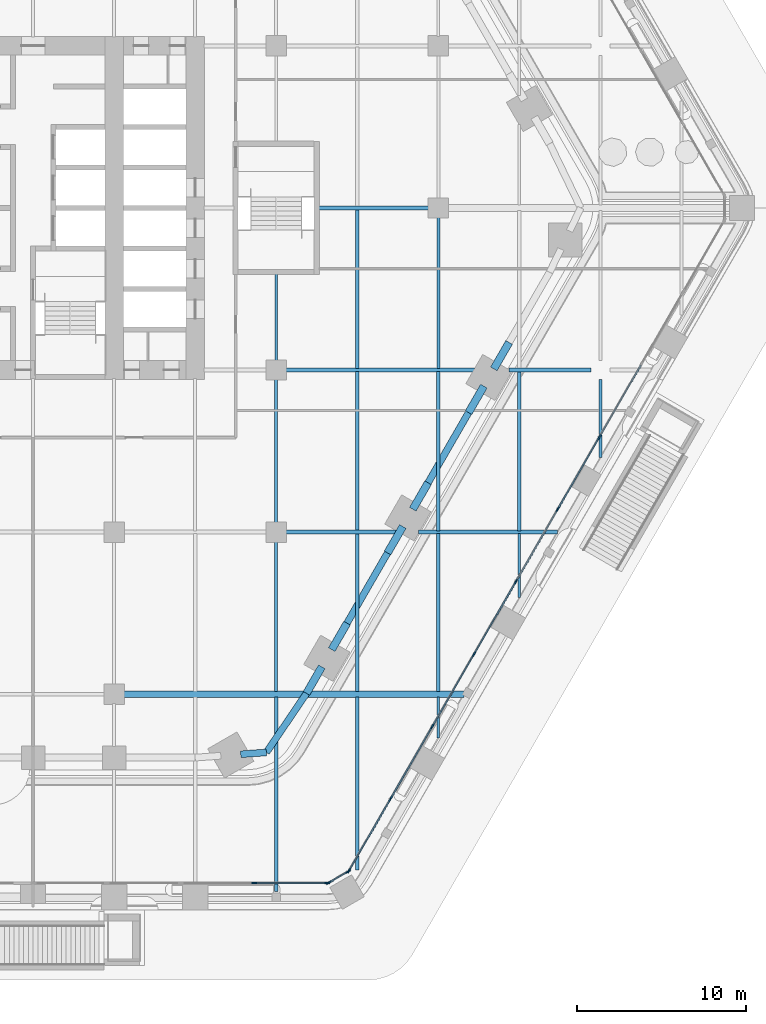
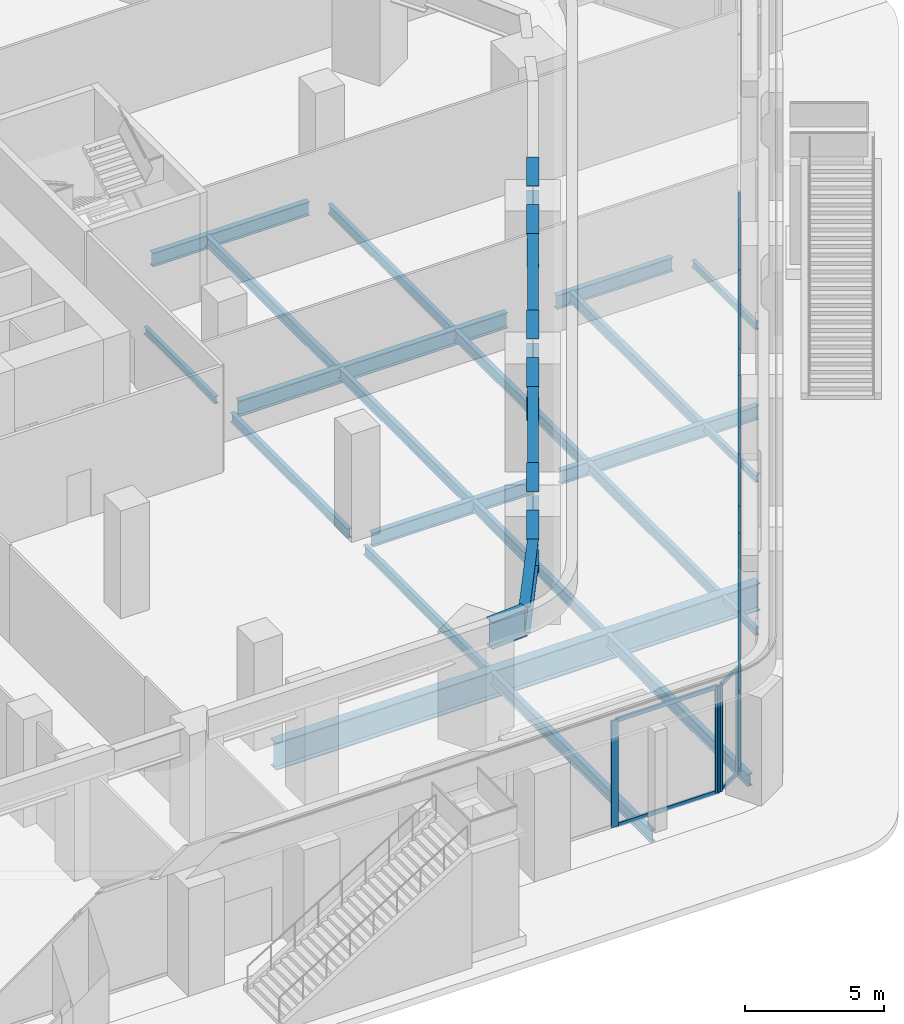
# One storey, part 6 of 34: 31 beams, 28 members, 3 elements without a shape of their own.
"""IFC4 building model written with IfcOpenShell, lengths in metres."""

from ifc_helpers import new_model, si_unit, direction, frame, origin, origin_2d, place, context, subcontext, project, spatial, rectangle, i_section, extrude, material, material_profile, profile_set, type_object, element, aggregate, save


model = new_model("IFC4")

# Units and contexts
model_context = context("Model", 3, precision=1e-05, world=origin(), true_north=direction((0.0, 1.0)))
body_context = subcontext(model_context, "Body", "Model", "MODEL_VIEW")
ifc_project = project(units=[si_unit("LENGTHUNIT", "METRE"), si_unit("AREAUNIT", "SQUARE_METRE"), si_unit("VOLUMEUNIT", "CUBIC_METRE"), si_unit("PLANEANGLEUNIT", "RADIAN"), si_unit("MASSUNIT", "GRAM", prefix="KILO")], contexts=[model_context])

# Site, building, storey
site_placement = place(None, origin())
site = spatial("IfcSite", under=ifc_project, at=site_placement, CompositionType="ELEMENT")
building_placement = place(site_placement, origin())
building = spatial("IfcBuilding", under=site, at=building_placement, Name="Kolab Exchange Tower", CompositionType="ELEMENT")
storey_placement = place(building_placement, frame((0.0, 0.0, 12.39990234375)))
storey = spatial("IfcBuildingStorey", under=building, at=storey_placement, Name="L02", CompositionType="ELEMENT", Elevation=12.39990234375)

# Beams
ifc_material_1 = material(Name="Steel S355", Category="steel")
ifc_material_profile_1 = material_profile(ifc_material_1, i_section(OverallWidth=0.1650390625, OverallDepth=0.31005859375, WebThickness=0.005859375, FlangeThickness=0.009765625, at=origin_2d()), Name="W310X39")
ifc_profile_set_1 = profile_set([ifc_material_profile_1], Name="Steel S355")
beam_type_1 = type_object("IfcBeamType", Name="FLOOR BEAM W310X39", PredefinedType="BEAM", material=ifc_profile_set_1)
beam_1_placement = place(storey_placement, frame((19.199951171875, -9.0400390625, -0.454833984375), z_axis=(0.0, 1.0, 0.0), x_axis=(-1.0, 0.0, 0.0)))
element("IfcBeam", 1, at=beam_1_placement, inside=storey, type_object=beam_type_1, Name="beam/L02/fr/090", PredefinedType="BEAM", context=body_context, shape_type="SweptSolid", body=[
    extrude(i_section(OverallWidth=0.1650390625, OverallDepth=0.31005859375, WebThickness=0.005859375, FlangeThickness=0.009765625, at=origin_2d()), origin(), (0.0, 0.0, 1.0), 5.130126953125),
])
beam_2_placement = place(storey_placement, frame((28.800048828125, -31.3955078125, -0.454833984375), z_axis=(0.0, 1.0, 0.0), x_axis=(-1.0, 0.0, 0.0)))
element("IfcBeam", 2, at=beam_2_placement, inside=storey, type_object=beam_type_1, Name="beam/L02/fr/104", PredefinedType="BEAM", context=body_context, shape_type="SweptSolid", body=[
    extrude(i_section(OverallWidth=0.1650390625, OverallDepth=0.31005859375, WebThickness=0.005859375, FlangeThickness=0.009765625, at=origin_2d()), origin(), (0.0, 0.0, 1.0), 2.435546875),
])
beam_3_placement = place(storey_placement, frame((33.60009765625, -23.08154296875, -0.454833984375), z_axis=(0.0, 1.0, 0.0), x_axis=(-1.0, 0.0, 0.0)))
element("IfcBeam", 3, at=beam_3_placement, inside=storey, type_object=beam_type_1, Name="beam/L02/fr/113", PredefinedType="BEAM", context=body_context, shape_type="SweptSolid", body=[
    extrude(i_section(OverallWidth=0.1650390625, OverallDepth=0.31005859375, WebThickness=0.005859375, FlangeThickness=0.009765625, at=origin_2d()), origin(), (0.0, 0.0, 1.0), 3.8076171875),
])
beam_4_placement = place(storey_placement, frame((38.39990234375, -14.767578125, -0.454833984375), z_axis=(0.0, 1.0, 0.0), x_axis=(-1.0, 0.0, 0.0)))
element("IfcBeam", 4, at=beam_4_placement, inside=storey, type_object=beam_type_1, Name="beam/L02/fr/120", PredefinedType="BEAM", context=body_context, shape_type="SweptSolid", body=[
    extrude(i_section(OverallWidth=0.1650390625, OverallDepth=0.31005859375, WebThickness=0.005859375, FlangeThickness=0.009765625, at=origin_2d()), origin(), (0.0, 0.0, 1.0), 4.607666015625),
])
ifc_material_profile_2 = material_profile(ifc_material_1, i_section(OverallWidth=0.177978515625, OverallDepth=0.406982421875, WebThickness=0.0078125, FlangeThickness=0.0126953125, at=origin_2d()), Name="W410X60")
ifc_profile_set_2 = profile_set([ifc_material_profile_2], Name="Steel S355")
beam_type_2 = type_object("IfcBeamType", Name="FLOOR BEAM W410X60", PredefinedType="BEAM", material=ifc_profile_set_2)
beam_5_placement = place(storey_placement, frame((19.199951171875, -28.639892578125, -0.50341796875), z_axis=(0.0, 1.0, 0.0), x_axis=(-1.0, 0.0, 0.0)))
element("IfcBeam", 5, at=beam_5_placement, inside=storey, type_object=beam_type_2, Name="beam/L02/fr/088", PredefinedType="BEAM", context=body_context, shape_type="SweptSolid", body=[
    extrude(i_section(OverallWidth=0.177978515625, OverallDepth=0.406982421875, WebThickness=0.0078125, FlangeThickness=0.0126953125, at=origin_2d()), origin(), (0.0, 0.0, 1.0), 8.8798828125),
])
beam_6_placement = place(storey_placement, frame((19.199951171875, -18.639892578125, -0.50341796875), z_axis=(0.0, 1.0, 0.0), x_axis=(-1.0, 0.0, 0.0)))
element("IfcBeam", 6, at=beam_6_placement, inside=storey, type_object=beam_type_2, Name="beam/L02/fr/089", PredefinedType="BEAM", context=body_context, shape_type="SweptSolid", body=[
    extrude(i_section(OverallWidth=0.177978515625, OverallDepth=0.406982421875, WebThickness=0.0078125, FlangeThickness=0.0126953125, at=origin_2d()), origin(), (0.0, 0.0, 1.0), 8.47998046875),
])
beam_7_placement = place(storey_placement, frame((28.800048828125, -9.512939453125, -0.50341796875), z_axis=(0.0, 1.0, 0.0), x_axis=(-1.0, 0.0, 0.0)))
element("IfcBeam", 7, at=beam_7_placement, inside=storey, type_object=beam_type_2, Name="beam/L02/fr/107", PredefinedType="BEAM", context=body_context, shape_type="SweptSolid", body=[
    extrude(i_section(OverallWidth=0.177978515625, OverallDepth=0.406982421875, WebThickness=0.0078125, FlangeThickness=0.0126953125, at=origin_2d()), origin(), (0.0, 0.0, 1.0), 8.952880859375),
])
ifc_material_profile_3 = material_profile(ifc_material_1, i_section(OverallWidth=0.18994140625, OverallDepth=0.45703125, WebThickness=0.009033203125, FlangeThickness=0.014404296875, at=origin_2d()), Name="W460X74")
ifc_profile_set_3 = profile_set([ifc_material_profile_3], Name="Steel S355")
beam_type_3 = type_object("IfcBeamType", Name="FLOOR BEAM W460X74", PredefinedType="BEAM", material=ifc_profile_set_3)
beam_8_placement = place(storey_placement, frame((24.0, -28.639892578125, -0.5283203125), z_axis=(0.0, 1.0, 0.0), x_axis=(-1.0, 0.0, 0.0)))
element("IfcBeam", 8, at=beam_8_placement, inside=storey, type_object=beam_type_3, Name="beam/L02/fr/096", PredefinedType="BEAM", context=body_context, shape_type="SweptSolid", body=[
    extrude(i_section(OverallWidth=0.18994140625, OverallDepth=0.45703125, WebThickness=0.009033203125, FlangeThickness=0.014404296875, at=origin_2d()), origin(), (0.0, 0.0, 1.0), 9.365966796875),
])
for number, where, z_axis, x_axis, name in (
    (9, (24.0, -19.1259765625, -0.5283203125), (0.0, 1.0, 0.0), (-1.0, 0.0, 0.0), "beam/L02/fr/097"),
    (10, (24.0, -9.512939453125, -0.5283203125), (0.0, 1.0, 0.0), (-1.0, 0.0, 0.0), "beam/L02/fr/098"),
):
    element("IfcBeam", number, at=place(storey_placement, frame(where, z_axis=z_axis, x_axis=x_axis)), inside=storey, type_object=beam_type_3, Name=name, PredefinedType="BEAM", context=body_context, shape_type="SweptSolid", body=[
        extrude(i_section(OverallWidth=0.18994140625, OverallDepth=0.45703125, WebThickness=0.009033203125, FlangeThickness=0.014404296875, at=origin_2d()), origin(), (0.0, 0.0, 1.0), 9.43896484375),
    ])
beam_9_placement = place(storey_placement, frame((28.800048828125, -28.639892578125, -0.5283203125), z_axis=(0.0, 1.0, 0.0), x_axis=(-1.0, 0.0, 0.0)))
element("IfcBeam", 11, at=beam_9_placement, inside=storey, type_object=beam_type_3, Name="beam/L02/fr/105", PredefinedType="BEAM", context=body_context, shape_type="SweptSolid", body=[
    extrude(i_section(OverallWidth=0.18994140625, OverallDepth=0.45703125, WebThickness=0.009033203125, FlangeThickness=0.014404296875, at=origin_2d()), origin(), (0.0, 0.0, 1.0), 9.365966796875),
])
beam_10_placement = place(storey_placement, frame((28.800048828125, -19.1259765625, -0.5283203125), z_axis=(0.0, 1.0, 0.0), x_axis=(-1.0, 0.0, 0.0)))
element("IfcBeam", 12, at=beam_10_placement, inside=storey, type_object=beam_type_3, Name="beam/L02/fr/106", PredefinedType="BEAM", context=body_context, shape_type="SweptSolid", body=[
    extrude(i_section(OverallWidth=0.18994140625, OverallDepth=0.45703125, WebThickness=0.009033203125, FlangeThickness=0.014404296875, at=origin_2d()), origin(), (0.0, 0.0, 1.0), 9.43896484375),
])
beam_11_placement = place(storey_placement, frame((33.60009765625, -19.1259765625, -0.5283203125), z_axis=(0.0, 1.0, 0.0), x_axis=(-1.0, 0.0, 0.0)))
element("IfcBeam", 13, at=beam_11_placement, inside=storey, type_object=beam_type_3, Name="beam/L02/fr/114", PredefinedType="BEAM", context=body_context, shape_type="SweptSolid", body=[
    extrude(i_section(OverallWidth=0.18994140625, OverallDepth=0.45703125, WebThickness=0.009033203125, FlangeThickness=0.014404296875, at=origin_2d()), origin(), (0.0, 0.0, 1.0), 9.451904296875),
])
ifc_material_profile_4 = material_profile(ifc_material_1, i_section(OverallWidth=0.208984375, OverallDepth=0.532958984375, WebThickness=0.01025390625, FlangeThickness=0.015625, at=origin_2d()), Name="W530X92")
ifc_profile_set_4 = profile_set([ifc_material_profile_4], Name="Steel S355")
beam_type_4 = type_object("IfcBeamType", Name="FLOOR BEAM W530X92", PredefinedType="BEAM", material=ifc_profile_set_4)
beam_12_placement = place(storey_placement, frame((19.199951171875, -40.498291015625, -0.56640625), z_axis=(0.0, 1.0, 0.0), x_axis=(-1.0, 0.0, 0.0)))
element("IfcBeam", 14, at=beam_12_placement, inside=storey, type_object=beam_type_4, Name="beam/L02/fr/087", PredefinedType="BEAM", context=body_context, shape_type="SweptSolid", body=[
    extrude(i_section(OverallWidth=0.208984375, OverallDepth=0.532958984375, WebThickness=0.01025390625, FlangeThickness=0.015625, at=origin_2d()), origin(), (0.0, 0.0, 1.0), 11.538330078125),
])
beam_13_placement = place(storey_placement, frame((24.0, -39.205078125, -0.56640625), z_axis=(0.0, 1.0, 0.0), x_axis=(-1.0, 0.0, 0.0)))
element("IfcBeam", 15, at=beam_13_placement, inside=storey, type_object=beam_type_4, Name="beam/L02/fr/095", PredefinedType="BEAM", context=body_context, shape_type="SweptSolid", body=[
    extrude(i_section(OverallWidth=0.208984375, OverallDepth=0.532958984375, WebThickness=0.01025390625, FlangeThickness=0.015625, at=origin_2d()), origin(), (0.0, 0.0, 1.0), 10.2451171875),
])
ifc_material_profile_5 = material_profile(ifc_material_1, i_section(OverallWidth=0.39990234375, OverallDepth=1.199951171875, WebThickness=0.02490234375, FlangeThickness=0.0400390625, at=origin_2d()), Name="PG1200X400")
ifc_profile_set_5 = profile_set([ifc_material_profile_5], Name="Steel S355")
beam_type_5 = type_object("IfcBeamType", Name="FLOOR GIRDER PG1200X400", PredefinedType="BEAM", material=ifc_profile_set_5)
beam_14_placement = place(storey_placement, frame((10.159912109375, -28.800048828125, -0.89990234375), z_axis=(1.0, 0.0, 0.0), x_axis=(0.0, 1.0, 0.0)))
element("IfcBeam", 16, at=beam_14_placement, inside=storey, type_object=beam_type_5, Name="beam/L02/gd/027", PredefinedType="BEAM", context=body_context, shape_type="SweptSolid", body=[
    extrude(i_section(OverallWidth=0.39990234375, OverallDepth=1.199951171875, WebThickness=0.02490234375, FlangeThickness=0.0400390625, at=origin_2d()), origin(), (0.0, 0.0, 1.0), 20.1552734375),
])
ifc_material_profile_6 = material_profile(ifc_material_1, i_section(OverallWidth=0.22802734375, OverallDepth=0.60791015625, WebThickness=0.01123046875, FlangeThickness=0.017333984375, at=origin_2d()), Name="W610X113")
ifc_profile_set_6 = profile_set([ifc_material_profile_6], Name="Steel S355")
beam_type_6 = type_object("IfcBeamType", Name="FLOOR GIRDER W610X113", PredefinedType="BEAM", material=ifc_profile_set_6)
beam_15_placement = place(storey_placement, frame((19.760009765625, -19.199951171875, -0.60400390625), z_axis=(1.0, 0.0, 0.0), x_axis=(0.0, 1.0, 0.0)))
element("IfcBeam", 17, at=beam_15_placement, inside=storey, type_object=beam_type_6, Name="beam/L02/gd/034", PredefinedType="BEAM", context=body_context, shape_type="SweptSolid", body=[
    extrude(i_section(OverallWidth=0.22802734375, OverallDepth=0.60791015625, WebThickness=0.01123046875, FlangeThickness=0.017333984375, at=origin_2d()), origin(), (0.0, 0.0, 1.0), 6.7353515625),
])
beam_16_placement = place(storey_placement, frame((21.7099609375, 0.0, -0.60400390625), z_axis=(1.0, 0.0, 0.0), x_axis=(0.0, 1.0, 0.0)))
element("IfcBeam", 18, at=beam_16_placement, inside=storey, type_object=beam_type_6, Name="beam/L02/gd/038", PredefinedType="BEAM", context=body_context, shape_type="SweptSolid", body=[
    extrude(i_section(OverallWidth=0.22802734375, OverallDepth=0.60791015625, WebThickness=0.01123046875, FlangeThickness=0.017333984375, at=origin_2d()), origin(), (0.0, 0.0, 1.0), 6.530029296875),
])
beam_17_placement = place(storey_placement, frame((27.621337890625, -19.199951171875, -0.60400390625), z_axis=(1.0, 0.0, 0.0), x_axis=(0.0, 1.0, 0.0)))
element("IfcBeam", 19, at=beam_17_placement, inside=storey, type_object=beam_type_6, Name="beam/L02/gd/039", PredefinedType="BEAM", context=body_context, shape_type="SweptSolid", body=[
    extrude(i_section(OverallWidth=0.22802734375, OverallDepth=0.60791015625, WebThickness=0.01123046875, FlangeThickness=0.017333984375, at=origin_2d()), origin(), (0.0, 0.0, 1.0), 8.236572265625),
])
beam_18_placement = place(storey_placement, frame((32.98779296875, -9.60009765625, -0.60400390625), z_axis=(1.0, 0.0, 0.0), x_axis=(0.0, 1.0, 0.0)))
element("IfcBeam", 20, at=beam_18_placement, inside=storey, type_object=beam_type_6, Name="beam/L02/gd/043", PredefinedType="BEAM", context=body_context, shape_type="SweptSolid", body=[
    extrude(i_section(OverallWidth=0.22802734375, OverallDepth=0.60791015625, WebThickness=0.01123046875, FlangeThickness=0.017333984375, at=origin_2d()), origin(), (0.0, 0.0, 1.0), 4.852294921875),
])
ifc_material_profile_7 = material_profile(ifc_material_1, i_section(OverallWidth=0.25390625, OverallDepth=0.68408203125, WebThickness=0.012451171875, FlangeThickness=0.018798828125, at=origin_2d()), Name="W690X140")
ifc_profile_set_7 = profile_set([ifc_material_profile_7], Name="Steel S355")
beam_type_7 = type_object("IfcBeamType", Name="FLOOR GIRDER W690X140", PredefinedType="BEAM", material=ifc_profile_set_7)
beam_19_placement = place(storey_placement, frame((19.760009765625, -9.60009765625, -0.641845703125), z_axis=(1.0, 0.0, 0.0), x_axis=(0.0, 1.0, 0.0)))
element("IfcBeam", 21, at=beam_19_placement, inside=storey, type_object=beam_type_7, Name="beam/L02/gd/035", PredefinedType="BEAM", context=body_context, shape_type="SweptSolid", body=[
    extrude(i_section(OverallWidth=0.25390625, OverallDepth=0.68408203125, WebThickness=0.012451171875, FlangeThickness=0.018798828125, at=origin_2d()), origin(), (0.0, 0.0, 1.0), 11.17431640625),
])

# Curtain wall, members
ifc_material_2 = material(Name="Aluminium EN AW-6063 T6", Category="aluminium")
curtain_wall_type = type_object("IfcCurtainWallType", Name="PODIUM STRUCTURAL GLAZING CURTAIN WALL", PredefinedType="NOTDEFINED", material=ifc_material_2)
curtain_wall_1_placement = place(storey_placement, origin())
curtain_wall_1 = element("IfcCurtainWall", 22, at=curtain_wall_1_placement, inside=storey, type_object=curtain_wall_type, Name="cw/L02/F3-1", PredefinedType="NOTDEFINED")
ifc_material_profile_8 = material_profile(ifc_material_2, rectangle(XDim=0.080078125, YDim=0.300048828125, at=origin_2d()), Name="RECT 80X300")
ifc_profile_set_8 = profile_set([ifc_material_profile_8], Name="Aluminium EN AW-6063 T6")
member_type_1 = type_object("IfcMemberType", Name="PODIUM STRUCTURAL GLAZING MULLION 80 X 300", PredefinedType="MULLION", material=ifc_profile_set_8)
member_1_placement = place(storey_placement, frame((38.343017578125, -13.56640625, 0.0), z_axis=(0.0, 0.0, 1.0), x_axis=(0.866025403514, -0.500000000469, 0.0)))
member_1 = element("IfcMember", 23, at=member_1_placement, type_object=member_type_1, Name="CW5 mullion 4", PredefinedType="MULLION", context=body_context, shape_type="SweptSolid", body=[
    extrude(rectangle(XDim=0.080078125, YDim=0.300048828125, at=origin_2d()), origin(), (0.0, 0.0, 1.0), 4.7001953125),
])
member_2_placement = place(storey_placement, frame((35.868896484375, -17.851806640625, 0.0), z_axis=(0.0, 0.0, 1.0), x_axis=(0.866025403514, -0.500000000469, 0.0)))
member_2 = element("IfcMember", 24, at=member_2_placement, type_object=member_type_1, Name="CW5 mullion 5", PredefinedType="MULLION", context=body_context, shape_type="SweptSolid", body=[
    extrude(rectangle(XDim=0.080078125, YDim=0.300048828125, at=origin_2d()), origin(), (0.0, 0.0, 1.0), 4.7001953125),
])
member_3_placement = place(storey_placement, frame((33.39453125, -22.137451171875, 0.0), z_axis=(0.0, 0.0, 1.0), x_axis=(0.866025403514, -0.500000000469, 0.0)))
member_3 = element("IfcMember", 25, at=member_3_placement, type_object=member_type_1, Name="CW5 mullion 6", PredefinedType="MULLION", context=body_context, shape_type="SweptSolid", body=[
    extrude(rectangle(XDim=0.080078125, YDim=0.300048828125, at=origin_2d()), origin(), (0.0, 0.0, 1.0), 4.7001953125),
])
member_4_placement = place(storey_placement, frame((30.92041015625, -26.4228515625, 0.0), z_axis=(0.0, 0.0, 1.0), x_axis=(0.866025403514, -0.500000000469, 0.0)))
member_4 = element("IfcMember", 26, at=member_4_placement, type_object=member_type_1, Name="CW5 mullion 7", PredefinedType="MULLION", context=body_context, shape_type="SweptSolid", body=[
    extrude(rectangle(XDim=0.080078125, YDim=0.300048828125, at=origin_2d()), origin(), (0.0, 0.0, 1.0), 4.7001953125),
])
member_5_placement = place(storey_placement, frame((28.446044921875, -30.708251953125, 0.0), z_axis=(0.0, 0.0, 1.0), x_axis=(0.866025403514, -0.500000000469, 0.0)))
member_5 = element("IfcMember", 27, at=member_5_placement, type_object=member_type_1, Name="CW5 mullion 8", PredefinedType="MULLION", context=body_context, shape_type="SweptSolid", body=[
    extrude(rectangle(XDim=0.080078125, YDim=0.300048828125, at=origin_2d()), origin(), (0.0, 0.0, 1.0), 4.7001953125),
])
member_6_placement = place(storey_placement, frame((25.971923828125, -34.99365234375, 0.0), z_axis=(0.0, 0.0, 1.0), x_axis=(0.866025403514, -0.500000000469, 0.0)))
member_6 = element("IfcMember", 28, at=member_6_placement, type_object=member_type_1, Name="CW5 mullion 9", PredefinedType="MULLION", context=body_context, shape_type="SweptSolid", body=[
    extrude(rectangle(XDim=0.080078125, YDim=0.300048828125, at=origin_2d()), origin(), (0.0, 0.0, 1.0), 4.7001953125),
])
member_7_placement = place(storey_placement, frame((23.517822265625, -39.24462890625, 0.0), z_axis=(0.0, 0.0, 1.0), x_axis=(0.866025403514, -0.500000000469, 0.0)))
member_7 = element("IfcMember", 29, at=member_7_placement, type_object=member_type_1, Name="CW5 mullion 10", PredefinedType="MULLION", context=body_context, shape_type="SweptSolid", body=[
    extrude(rectangle(XDim=0.080078125, YDim=0.300048828125, at=origin_2d()), origin(), (0.0, 0.0, 1.0), 4.7001953125),
])

curtain_wall_2_placement = place(storey_placement, origin())
curtain_wall_2 = element("IfcCurtainWall", 30, at=curtain_wall_2_placement, inside=storey, type_object=curtain_wall_type, Name="cw/L02/F4-1", PredefinedType="NOTDEFINED")
member_8_placement = place(storey_placement, frame((22.22802734375, -39.9892578125, 0.0), z_axis=(0.0, 0.0, 1.0), x_axis=(0.0, -1.0, 0.0)))
member_8 = element("IfcMember", 31, at=member_8_placement, type_object=member_type_1, Name="CW5 mullion 1", PredefinedType="MULLION", context=body_context, shape_type="SweptSolid", body=[
    extrude(rectangle(XDim=0.080078125, YDim=0.300048828125, at=origin_2d()), origin(), (0.0, 0.0, 1.0), 4.7001953125),
])
member_9_placement = place(storey_placement, frame((17.90087890625, -39.9892578125, 0.0), z_axis=(0.0, 0.0, 1.0), x_axis=(0.0, -1.0, 0.0)))
member_9 = element("IfcMember", 32, at=member_9_placement, type_object=member_type_1, Name="CW5 mullion 2", PredefinedType="MULLION", context=body_context, shape_type="SweptSolid", body=[
    extrude(rectangle(XDim=0.080078125, YDim=0.300048828125, at=origin_2d()), origin(), (0.0, 0.0, 1.0), 4.7001953125),
])

curtain_wall_3_placement = place(storey_placement, origin())
curtain_wall_3 = element("IfcCurtainWall", 33, at=curtain_wall_3_placement, inside=storey, type_object=curtain_wall_type, Name="cw/L02/F3F4-corner", PredefinedType="NOTDEFINED")
member_10_placement = place(storey_placement, frame((23.463134765625, -39.29931640625, 0.0), z_axis=(0.0, 0.0, 1.0), x_axis=(0.50000002237, -0.866025390869, 0.0)))
member_10 = element("IfcMember", 34, at=member_10_placement, type_object=member_type_1, Name="CW5 mullion 1", PredefinedType="MULLION", context=body_context, shape_type="SweptSolid", body=[
    extrude(rectangle(XDim=0.080078125, YDim=0.300048828125, at=origin_2d()), origin(), (0.0, 0.0, 1.0), 4.7001953125),
])
member_11_placement = place(storey_placement, frame((22.302490234375, -39.96923828125, 0.0), z_axis=(0.0, 0.0, 1.0), x_axis=(0.50000002237, -0.866025390869, 0.0)))
member_11 = element("IfcMember", 35, at=member_11_placement, type_object=member_type_1, Name="CW5 mullion 2", PredefinedType="MULLION", context=body_context, shape_type="SweptSolid", body=[
    extrude(rectangle(XDim=0.080078125, YDim=0.300048828125, at=origin_2d()), origin(), (0.0, 0.0, 1.0), 4.7001953125),
])

# Member
ifc_material_profile_9 = material_profile(ifc_material_2, rectangle(XDim=0.080078125, YDim=0.179931640625, at=origin_2d()), Name="RECT 80X180")
ifc_profile_set_9 = profile_set([ifc_material_profile_9], Name="Aluminium EN AW-6063 T6")
member_type_2 = type_object("IfcMemberType", Name="PODIUM STRUCTURAL GLAZING TRANSOM 80 X 180", PredefinedType="USERDEFINED", material=ifc_profile_set_9)
member_12_placement = place(storey_placement, frame((40.797119140625, -9.315673828125, 0.0400390625), z_axis=(-0.499990153172, -0.866031088779, 0.0), x_axis=(0.866031088779, -0.499990153172, 0.0)))
member_12 = element("IfcMember", 36, at=member_12_placement, type_object=member_type_2, Name="CW5 transom 3.1", ObjectType="TRANSOM", PredefinedType="USERDEFINED", context=body_context, shape_type="SweptSolid", body=[
    extrude(rectangle(XDim=0.080078125, YDim=0.179931640625, at=origin_2d()), origin(), (0.0, 0.0, 1.0), 4.8681640625),
])

member_13_placement = place(storey_placement, frame((38.322998046875, -13.60107421875, 0.0400390625), z_axis=(-0.500027764349, -0.866009373437, 0.0), x_axis=(0.866009373437, -0.500027764349, 0.0)))
member_13 = element("IfcMember", 37, at=member_13_placement, type_object=member_type_2, Name="CW5 transom 4.1", ObjectType="TRANSOM", PredefinedType="USERDEFINED", context=body_context, shape_type="SweptSolid", body=[
    extrude(rectangle(XDim=0.080078125, YDim=0.179931640625, at=origin_2d()), origin(), (0.0, 0.0, 1.0), 4.868408203125),
])

member_14_placement = place(storey_placement, frame((38.322998046875, -13.60107421875, 4.66015625), z_axis=(-0.500027764349, -0.866009373437, 0.0), x_axis=(0.866009373437, -0.500027764349, 0.0)))
member_14 = element("IfcMember", 38, at=member_14_placement, type_object=member_type_2, Name="CW5 transom 4.2", ObjectType="TRANSOM", PredefinedType="USERDEFINED", context=body_context, shape_type="SweptSolid", body=[
    extrude(rectangle(XDim=0.080078125, YDim=0.179931640625, at=origin_2d()), origin(), (0.0, 0.0, 1.0), 4.868408203125),
])

member_15_placement = place(storey_placement, frame((35.848876953125, -17.886474609375, 0.0400390625), z_axis=(-0.50000604952, -0.866021911064, 0.0), x_axis=(0.866021911064, -0.50000604952, 0.0)))
member_15 = element("IfcMember", 39, at=member_15_placement, type_object=member_type_2, Name="CW5 transom 5.1", ObjectType="TRANSOM", PredefinedType="USERDEFINED", context=body_context, shape_type="SweptSolid", body=[
    extrude(rectangle(XDim=0.080078125, YDim=0.179931640625, at=origin_2d()), origin(), (0.0, 0.0, 1.0), 4.86865234375),
])

member_16_placement = place(storey_placement, frame((35.848876953125, -17.886474609375, 4.66015625), z_axis=(-0.50000604952, -0.866021911064, 0.0), x_axis=(0.866021911064, -0.50000604952, 0.0)))
member_16 = element("IfcMember", 40, at=member_16_placement, type_object=member_type_2, Name="CW5 transom 5.2", ObjectType="TRANSOM", PredefinedType="USERDEFINED", context=body_context, shape_type="SweptSolid", body=[
    extrude(rectangle(XDim=0.080078125, YDim=0.179931640625, at=origin_2d()), origin(), (0.0, 0.0, 1.0), 4.86865234375),
])

member_17_placement = place(storey_placement, frame((33.37451171875, -22.171875, 0.0400390625), z_axis=(-0.499968438888, -0.866043624834, 0.0), x_axis=(0.866043624834, -0.499968438888, 0.0)))
member_17 = element("IfcMember", 41, at=member_17_placement, type_object=member_type_2, Name="CW5 transom 6.1", ObjectType="TRANSOM", PredefinedType="USERDEFINED", context=body_context, shape_type="SweptSolid", body=[
    extrude(rectangle(XDim=0.080078125, YDim=0.179931640625, at=origin_2d()), origin(), (0.0, 0.0, 1.0), 4.868408203125),
])

member_18_placement = place(storey_placement, frame((33.37451171875, -22.171875, 4.66015625), z_axis=(-0.499968438888, -0.866043624834, 0.0), x_axis=(0.866043624834, -0.499968438888, 0.0)))
member_18 = element("IfcMember", 42, at=member_18_placement, type_object=member_type_2, Name="CW5 transom 6.2", ObjectType="TRANSOM", PredefinedType="USERDEFINED", context=body_context, shape_type="SweptSolid", body=[
    extrude(rectangle(XDim=0.080078125, YDim=0.179931640625, at=origin_2d()), origin(), (0.0, 0.0, 1.0), 4.868408203125),
])

member_19_placement = place(storey_placement, frame((30.900390625, -26.45751953125, 0.0400390625), z_axis=(-0.500027764349, -0.866009373437, 0.0), x_axis=(0.866009373437, -0.500027764349, 0.0)))
member_19 = element("IfcMember", 43, at=member_19_placement, type_object=member_type_2, Name="CW5 transom 7.1", ObjectType="TRANSOM", PredefinedType="USERDEFINED", context=body_context, shape_type="SweptSolid", body=[
    extrude(rectangle(XDim=0.080078125, YDim=0.179931640625, at=origin_2d()), origin(), (0.0, 0.0, 1.0), 4.868408203125),
])

member_20_placement = place(storey_placement, frame((30.900390625, -26.45751953125, 4.66015625), z_axis=(-0.500027764349, -0.866009373437, 0.0), x_axis=(0.866009373437, -0.500027764349, 0.0)))
member_20 = element("IfcMember", 44, at=member_20_placement, type_object=member_type_2, Name="CW5 transom 7.2", ObjectType="TRANSOM", PredefinedType="USERDEFINED", context=body_context, shape_type="SweptSolid", body=[
    extrude(rectangle(XDim=0.080078125, YDim=0.179931640625, at=origin_2d()), origin(), (0.0, 0.0, 1.0), 4.868408203125),
])

member_21_placement = place(storey_placement, frame((28.426025390625, -30.742919921875, 0.0400390625), z_axis=(-0.499968438888, -0.866043624834, 0.0), x_axis=(0.866043624834, -0.499968438888, 0.0)))
member_21 = element("IfcMember", 45, at=member_21_placement, type_object=member_type_2, Name="CW5 transom 8.1", ObjectType="TRANSOM", PredefinedType="USERDEFINED", context=body_context, shape_type="SweptSolid", body=[
    extrude(rectangle(XDim=0.080078125, YDim=0.179931640625, at=origin_2d()), origin(), (0.0, 0.0, 1.0), 4.868408203125),
])

member_22_placement = place(storey_placement, frame((28.426025390625, -30.742919921875, 4.66015625), z_axis=(-0.499968438888, -0.866043624834, 0.0), x_axis=(0.866043624834, -0.499968438888, 0.0)))
member_22 = element("IfcMember", 46, at=member_22_placement, type_object=member_type_2, Name="CW5 transom 8.2", ObjectType="TRANSOM", PredefinedType="USERDEFINED", context=body_context, shape_type="SweptSolid", body=[
    extrude(rectangle(XDim=0.080078125, YDim=0.179931640625, at=origin_2d()), origin(), (0.0, 0.0, 1.0), 4.868408203125),
])

member_23_placement = place(storey_placement, frame((25.951904296875, -35.0283203125, 0.0400390625), z_axis=(-0.50000548301, -0.866022238144, 0.0), x_axis=(0.866022238144, -0.50000548301, 0.0)))
member_23 = element("IfcMember", 47, at=member_23_placement, type_object=member_type_2, Name="CW5 transom 9.1", ObjectType="TRANSOM", PredefinedType="USERDEFINED", context=body_context, shape_type="SweptSolid", body=[
    extrude(rectangle(XDim=0.080078125, YDim=0.179931640625, at=origin_2d()), origin(), (0.0, 0.0, 1.0), 4.82861328125),
])

member_24_placement = place(storey_placement, frame((25.951904296875, -35.0283203125, 4.66015625), z_axis=(-0.50000548301, -0.866022238144, 0.0), x_axis=(0.866022238144, -0.50000548301, 0.0)))
member_24 = element("IfcMember", 48, at=member_24_placement, type_object=member_type_2, Name="CW5 transom 9.2", ObjectType="TRANSOM", PredefinedType="USERDEFINED", context=body_context, shape_type="SweptSolid", body=[
    extrude(rectangle(XDim=0.080078125, YDim=0.179931640625, at=origin_2d()), origin(), (0.0, 0.0, 1.0), 4.82861328125),
])

aggregate(curtain_wall_1, [member_1, member_2, member_3, member_4, member_5, member_6, member_7, member_12, member_13, member_14, member_15, member_16, member_17, member_18, member_19, member_20, member_21, member_22, member_23, member_24])

member_25_placement = place(storey_placement, frame((22.18798828125, -39.9892578125, 0.0400390625), z_axis=(-1.0, 0.0, 0.0), x_axis=(0.0, -1.0, 0.0)))
member_25 = element("IfcMember", 49, at=member_25_placement, type_object=member_type_2, Name="CW5 transom 1.1", ObjectType="TRANSOM", PredefinedType="USERDEFINED", context=body_context, shape_type="SweptSolid", body=[
    extrude(rectangle(XDim=0.080078125, YDim=0.179931640625, at=origin_2d()), origin(), (0.0, 0.0, 1.0), 4.2470703125),
])

member_26_placement = place(storey_placement, frame((22.18798828125, -39.9892578125, 4.66015625), z_axis=(-1.0, 0.0, 0.0), x_axis=(0.0, -1.0, 0.0)))
member_26 = element("IfcMember", 50, at=member_26_placement, type_object=member_type_2, Name="CW5 transom 1.2", ObjectType="TRANSOM", PredefinedType="USERDEFINED", context=body_context, shape_type="SweptSolid", body=[
    extrude(rectangle(XDim=0.080078125, YDim=0.179931640625, at=origin_2d()), origin(), (0.0, 0.0, 1.0), 4.2470703125),
])

aggregate(curtain_wall_2, [member_8, member_9, member_25, member_26])

member_27_placement = place(storey_placement, frame((23.428466796875, -39.3193359375, 0.0400390625), z_axis=(-0.866088799389, -0.499890179513, 0.0), x_axis=(0.499890179513, -0.866088799389, 0.0)))
member_27 = element("IfcMember", 51, at=member_27_placement, type_object=member_type_2, Name="CW5 transom 1.1", ObjectType="TRANSOM", PredefinedType="USERDEFINED", context=body_context, shape_type="SweptSolid", body=[
    extrude(rectangle(XDim=0.080078125, YDim=0.179931640625, at=origin_2d()), origin(), (0.0, 0.0, 1.0), 1.260009765625),
])

member_28_placement = place(storey_placement, frame((23.428466796875, -39.3193359375, 4.66015625), z_axis=(-0.866088799389, -0.499890179513, 0.0), x_axis=(0.499890179513, -0.866088799389, 0.0)))
member_28 = element("IfcMember", 52, at=member_28_placement, type_object=member_type_2, Name="CW5 transom 1.2", ObjectType="TRANSOM", PredefinedType="USERDEFINED", context=body_context, shape_type="SweptSolid", body=[
    extrude(rectangle(XDim=0.080078125, YDim=0.179931640625, at=origin_2d()), origin(), (0.0, 0.0, 1.0), 1.260009765625),
])

aggregate(curtain_wall_3, [member_10, member_11, member_27, member_28])

# Beams
ifc_material_profile_10 = material_profile(ifc_material_1, i_section(OverallWidth=0.39990234375, OverallDepth=1.199951171875, WebThickness=0.02490234375, FlangeThickness=0.0400390625, at=origin_2d()), Name="PG1200X400")
ifc_profile_set_10 = profile_set([ifc_material_profile_10], Name="Steel S355")
beam_type_8 = type_object("IfcBeamType", Name="TRANSFER GIRDER PG1200X400", PredefinedType="BEAM", material=ifc_profile_set_10)
beam_20_placement = place(storey_placement, frame((17.097412109375, -32.3583984375, 4.150146484375), z_axis=(0.997341961039, 0.072862972427, 0.0), x_axis=(-0.072862972427, 0.997341961039, 0.0)))
element("IfcBeam", 53, at=beam_20_placement, inside=storey, type_object=beam_type_8, Name="beam/L02/tg/T-F4-01", PredefinedType="BEAM", context=body_context, shape_type="SweptSolid", body=[
    extrude(i_section(OverallWidth=0.39990234375, OverallDepth=1.199951171875, WebThickness=0.02490234375, FlangeThickness=0.0400390625, at=origin_2d()), origin(), (0.0, 0.0, 1.0), 1.524658203125),
])
beam_21_placement = place(storey_placement, frame((30.59375, -12.120849609375, 4.150146484375), z_axis=(-0.500001309137, -0.866024647952, 0.0), x_axis=(0.866024647952, -0.500001309137, 0.0)))
element("IfcBeam", 54, at=beam_21_placement, inside=storey, type_object=beam_type_8, Name="beam/L02/tg/T-F3-04-F3-05", PredefinedType="BEAM", context=body_context, shape_type="SweptSolid", body=[
    extrude(i_section(OverallWidth=0.39990234375, OverallDepth=1.199951171875, WebThickness=0.02490234375, FlangeThickness=0.0400390625, at=origin_2d()), origin(), (0.0, 0.0, 1.0), 4.7998046875),
])
beam_22_placement = place(storey_placement, frame((25.793701171875, -20.4345703125, 4.150146484375), z_axis=(-0.499979284789, -0.866037363387, 0.0), x_axis=(0.866037363387, -0.499979284789, 0.0)))
element("IfcBeam", 55, at=beam_22_placement, inside=storey, type_object=beam_type_8, Name="beam/L02/tg/T-F3-06-F3-07", PredefinedType="BEAM", context=body_context, shape_type="SweptSolid", body=[
    extrude(i_section(OverallWidth=0.39990234375, OverallDepth=1.199951171875, WebThickness=0.02490234375, FlangeThickness=0.0400390625, at=origin_2d()), origin(), (0.0, 0.0, 1.0), 4.800048828125),
])
beam_23_placement = place(storey_placement, frame((20.993896484375, -28.74853515625, 4.150146484375), z_axis=(-0.561793595008, -0.827277436298, 0.0), x_axis=(0.827277436298, -0.561793595008, 0.0)))
element("IfcBeam", 56, at=beam_23_placement, inside=storey, type_object=beam_type_8, Name="beam/L02/tg/T-F3-08-F4-01", PredefinedType="BEAM", context=body_context, shape_type="SweptSolid", body=[
    extrude(i_section(OverallWidth=0.39990234375, OverallDepth=1.199951171875, WebThickness=0.02490234375, FlangeThickness=0.0400390625, at=origin_2d()), origin(), (0.0, 0.0, 1.0), 4.229248046875),
])
ifc_material_profile_11 = material_profile(ifc_material_1, i_section(OverallWidth=0.449951171875, OverallDepth=1.5, WebThickness=0.028076171875, FlangeThickness=0.044921875, at=origin_2d()), Name="PG1500X450")
ifc_profile_set_11 = profile_set([ifc_material_profile_11], Name="Steel S355")
beam_type_9 = type_object("IfcBeamType", Name="TRANSFER GIRDER PG1500X450", PredefinedType="BEAM", material=ifc_profile_set_11)
for number, where, z_axis, x_axis, name in (
    (57, (32.0888671875, -9.531494140625, 4.0), (0.499983199978, 0.866035103064, 0.0), (-0.866035103064, 0.499983199978, 0.0), "beam/L02/tg/T-F3-03"),
    (58, (31.498779296875, -10.55322265625, 4.0), (-0.499983199978, -0.866035103064, 0.0), (0.866035103064, -0.499983199978, 0.0), "beam/L02/tg/T-F3-04"),
    (59, (27.288818359375, -17.84521484375, 4.0), (0.499983199978, 0.866035103064, 0.0), (-0.866035103064, 0.499983199978, 0.0), "beam/L02/tg/T-F3-05"),
):
    element("IfcBeam", number, at=place(storey_placement, frame(where, z_axis=z_axis, x_axis=x_axis)), inside=storey, type_object=beam_type_9, Name=name, PredefinedType="BEAM", context=body_context, shape_type="SweptSolid", body=[
        extrude(i_section(OverallWidth=0.449951171875, OverallDepth=1.5, WebThickness=0.028076171875, FlangeThickness=0.044921875, at=origin_2d()), origin(), (0.0, 0.0, 1.0), 1.81005859375),
    ])
for number, where, z_axis, x_axis, name in (
    (60, (26.69873046875, -18.8671875, 4.0), (-0.500041607127, -0.866001380566, 0.0), (0.866001380566, -0.500041607127, 0.0), "beam/L02/tg/T-F3-06"),
    (61, (22.48876953125, -26.158935546875, 4.0), (0.500041607127, 0.866001380566, 0.0), (-0.866001380566, 0.500041607127, 0.0), "beam/L02/tg/T-F3-07"),
):
    element("IfcBeam", number, at=place(storey_placement, frame(where, z_axis=z_axis, x_axis=x_axis)), inside=storey, type_object=beam_type_9, Name=name, PredefinedType="BEAM", context=body_context, shape_type="SweptSolid", body=[
        extrude(i_section(OverallWidth=0.449951171875, OverallDepth=1.5, WebThickness=0.028076171875, FlangeThickness=0.044921875, at=origin_2d()), origin(), (0.0, 0.0, 1.0), 1.809814453125),
    ])
beam_24_placement = place(storey_placement, frame((21.898681640625, -27.180908203125, 4.0), z_axis=(-0.499882030911, -0.866093502558, 0.0), x_axis=(0.866093502558, -0.499882030911, 0.0)))
element("IfcBeam", 62, at=beam_24_placement, inside=storey, type_object=beam_type_9, Name="beam/L02/tg/T-F3-08", PredefinedType="BEAM", context=body_context, shape_type="SweptSolid", body=[
    extrude(i_section(OverallWidth=0.449951171875, OverallDepth=1.5, WebThickness=0.028076171875, FlangeThickness=0.044921875, at=origin_2d()), origin(), (0.0, 0.0, 1.0), 1.81005859375),
])

save(model, "model.ifc")
